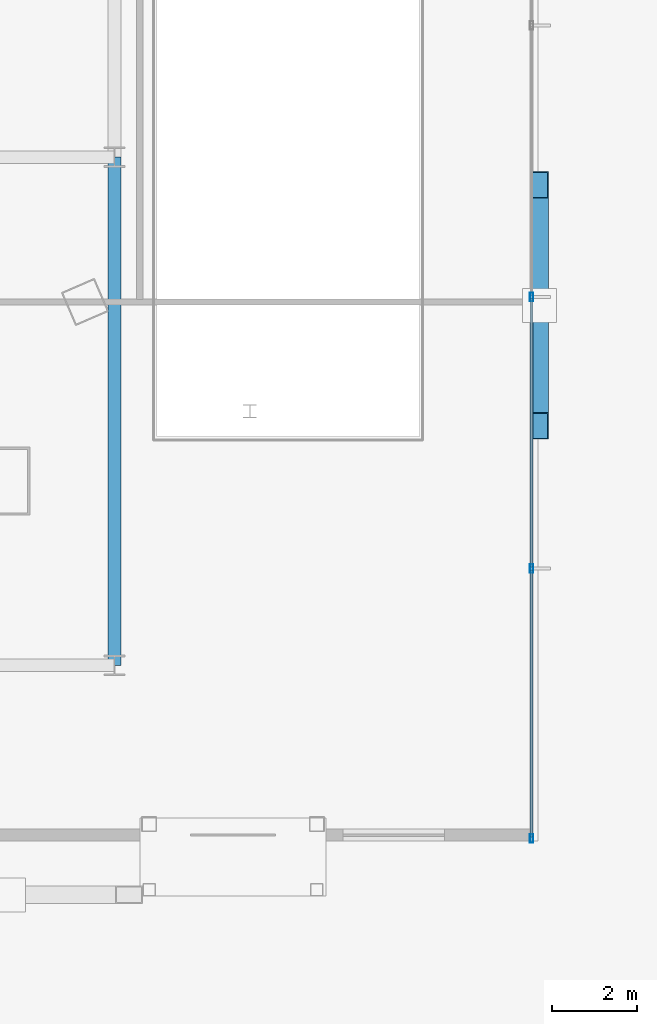
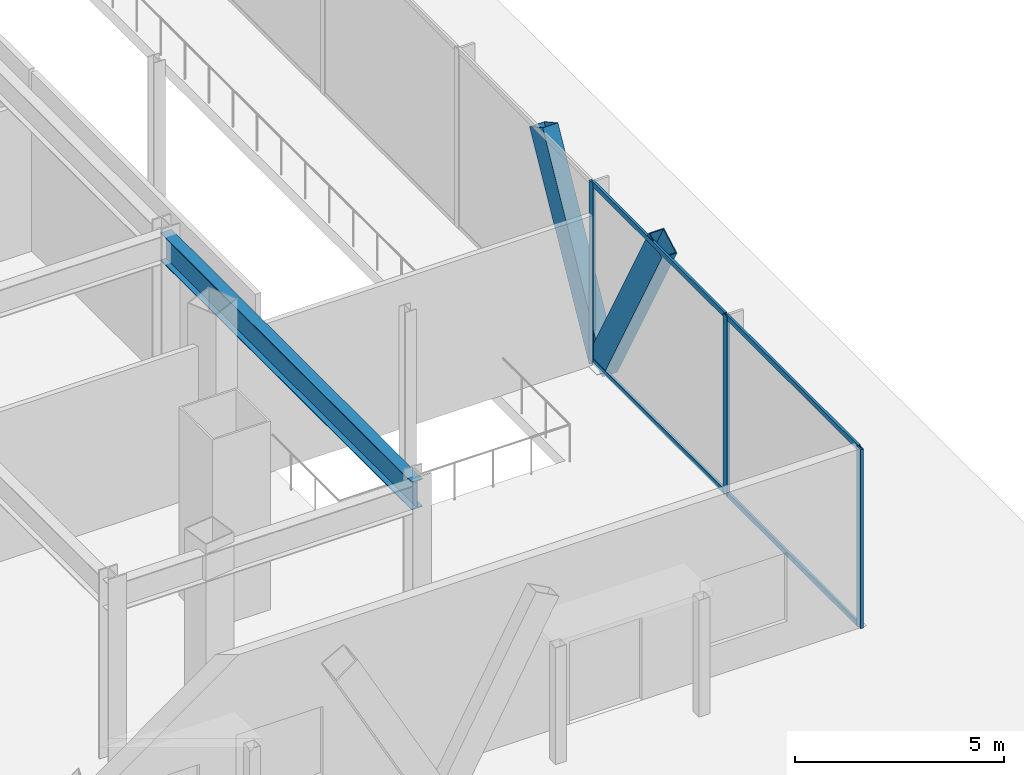
# One storey, part 13 of 38: 9 members, 1 beam, 1 element without a shape of its own.
"""IFC4 building model written with IfcOpenShell, lengths in metres."""

from ifc_helpers import new_model, si_unit, direction, frame, origin, origin_2d, place, context, subcontext, project, spatial, hollow_rectangle, i_section, extrude, material, layer, layer_set, material_profile, profile_set, type_object, element, aggregate, save


model = new_model("IFC4")

# Units and contexts
model_context = context("Model", 3, precision=1e-05, world=origin(), true_north=direction((0.0, 1.0)))
body_context = subcontext(model_context, "Body", "Model", "MODEL_VIEW")
ifc_project = project(units=[si_unit("LENGTHUNIT", "METRE"), si_unit("AREAUNIT", "SQUARE_METRE"), si_unit("VOLUMEUNIT", "CUBIC_METRE"), si_unit("PLANEANGLEUNIT", "RADIAN"), si_unit("MASSUNIT", "GRAM", prefix="KILO")], contexts=[model_context])

# Site, building, storey
site_placement = place(None, origin())
site = spatial("IfcSite", under=ifc_project, at=site_placement, CompositionType="ELEMENT")
building_placement = place(site_placement, origin())
building = spatial("IfcBuilding", under=site, at=building_placement, Name="Orvanel Arch Residences", CompositionType="ELEMENT")
storey_placement = place(building_placement, origin())
storey = spatial("IfcBuildingStorey", under=building, at=storey_placement, Name="L00", CompositionType="ELEMENT", Elevation=0.0)

# Beam
ifc_material_1 = material(Name="Structural steel AS/NZS 3678 Grade 350", Category="steel")
ifc_material_profile_1 = material_profile(ifc_material_1, i_section(OverallWidth=0.300048828125, OverallDepth=0.81591796875, WebThickness=0.013916015625, FlangeThickness=0.02392578125, at=origin_2d()), Name="800WB192")
ifc_profile_set_1 = profile_set([ifc_material_profile_1], Name="Structural steel AS/NZS 3678 Grade 350")
beam_type = type_object("IfcBeamType", Name="BG-800WB", PredefinedType="BEAM", material=ifc_profile_set_1)
beam_placement = place(storey_placement, frame((54.60009765625, 6.0, 4.81201171875), z_axis=(0.0, 1.0, 0.0), x_axis=(-1.0, 0.0, 0.0)))
element("IfcBeam", 1, at=beam_placement, inside=storey, type_object=beam_type, Name="L00 North-South Podium Girder XE55-S", PredefinedType="BEAM", context=body_context, shape_type="SweptSolid", body=[
    extrude(i_section(OverallWidth=0.300048828125, OverallDepth=0.81591796875, WebThickness=0.013916015625, FlangeThickness=0.02392578125, at=origin_2d()), origin(), (0.0, 0.0, 1.0), 12.0),
])

# Members
ifc_material_profile_2 = material_profile(ifc_material_1, hollow_rectangle(XDim=0.419921875, YDim=0.719970703125, WallThickness=0.02490234375, at=origin_2d()), Name="RHS720x420x25")
ifc_profile_set_2 = profile_set([ifc_material_profile_2], Name="Structural steel AS/NZS 3678 Grade 350")
member_type_1 = type_object("IfcMemberType", Name="BR-720RHS-EXT", PredefinedType="BRACE", material=ifc_profile_set_2)
for number, where, z_axis, x_axis, name in (
    (2, (64.639892578125, 14.5, 0.0), (0.0, -0.48010111861, 0.877213153065), (1.0, 0.0, 0.0), "L00 Podium Multi-Storey V-Strut Pair E1 Leg 1"),
    (3, (64.639892578125, 14.5, 0.0), (0.0, 0.48010111861, 0.877213153065), (-1.0, 0.0, 0.0), "L00 Podium Multi-Storey V-Strut Pair E1 Leg 2"),
):
    element("IfcMember", number, at=place(storey_placement, frame(where, z_axis=z_axis, x_axis=x_axis)), inside=storey, type_object=member_type_1, Name=name, PredefinedType="BRACE", context=body_context, shape_type="SweptSolid", body=[
        extrude(hollow_rectangle(XDim=0.419921875, YDim=0.719970703125, WallThickness=0.02490234375, at=origin_2d()), origin(), (0.0, 0.0, 1.0), 5.927734375),
    ])

# Curtain wall, members
ifc_material_2 = material(Name="Bronze-anodised aluminium AA6063-T6", Category="aluminium")
ifc_layer = layer(ifc_material_2, 0.199951171875)
ifc_layer_set = layer_set([ifc_layer], Name="Bronze-anodised aluminium AA6063-T6")
curtain_wall_type = type_object("IfcCurtainWallType", Name="CW1-POD-SYS", PredefinedType="NOTDEFINED", material=ifc_layer_set)
curtain_wall_placement = place(storey_placement, origin())
curtain_wall = element("IfcCurtainWall", 4, at=curtain_wall_placement, inside=storey, type_object=curtain_wall_type, Name="L00 CW1-POD-SYS Unitised Curtain Wall", PredefinedType="NOTDEFINED")
ifc_material_profile_3 = material_profile(ifc_material_2, hollow_rectangle(XDim=0.074951171875, YDim=0.199951171875, WallThickness=0.0048828125, at=origin_2d()), Name="ALU200x75x5")
ifc_profile_set_3 = profile_set([ifc_material_profile_3], Name="Bronze-anodised aluminium AA6063-T6")
member_type_2 = type_object("IfcMemberType", Name="MUL-200x75", PredefinedType="MULLION", material=ifc_profile_set_3)
member_1_placement = place(storey_placement, frame((64.449951171875, 1.907470703125, 0.0), z_axis=(0.0, 0.0, 1.0), x_axis=(-1.0, 0.0, 0.0)))
member_1 = element("IfcMember", 5, at=member_1_placement, type_object=member_type_2, Name="CW-S1 mullion 1", PredefinedType="MULLION", context=body_context, shape_type="SweptSolid", body=[
    extrude(hollow_rectangle(XDim=0.074951171875, YDim=0.199951171875, WallThickness=0.0048828125, at=origin_2d()), origin(), (0.0, 0.0, 1.0), 5.219970703125),
])
member_2_placement = place(storey_placement, frame((64.449951171875, 8.28369140625, 0.0), z_axis=(0.0, 0.0, 1.0), x_axis=(-1.0, 0.0, 0.0)))
member_2 = element("IfcMember", 6, at=member_2_placement, type_object=member_type_2, Name="CW-S1 mullion 2", PredefinedType="MULLION", context=body_context, shape_type="SweptSolid", body=[
    extrude(hollow_rectangle(XDim=0.074951171875, YDim=0.199951171875, WallThickness=0.0048828125, at=origin_2d()), origin(), (0.0, 0.0, 1.0), 5.219970703125),
])
member_3_placement = place(storey_placement, frame((64.449951171875, 14.697509765625, 0.0), z_axis=(0.0, 0.0, 1.0), x_axis=(-1.0, 0.0, 0.0)))
member_3 = element("IfcMember", 7, at=member_3_placement, type_object=member_type_2, Name="CW-S1 mullion 3", PredefinedType="MULLION", context=body_context, shape_type="SweptSolid", body=[
    extrude(hollow_rectangle(XDim=0.074951171875, YDim=0.199951171875, WallThickness=0.0048828125, at=origin_2d()), origin(), (0.0, 0.0, 1.0), 5.219970703125),
])
ifc_material_profile_4 = material_profile(ifc_material_2, hollow_rectangle(XDim=0.06494140625, YDim=0.14990234375, WallThickness=0.00390625, at=origin_2d()), Name="ALU150x65x4")
ifc_profile_set_4 = profile_set([ifc_material_profile_4], Name="Bronze-anodised aluminium AA6063-T6")
member_type_3 = type_object("IfcMemberType", Name="TRN-150x65", PredefinedType="USERDEFINED", material=ifc_profile_set_4)
member_4_placement = place(storey_placement, frame((64.449951171875, 1.945068359375, 0.032470703125), z_axis=(0.0, 1.0, 0.0), x_axis=(-1.0, 0.0, 0.0)))
member_4 = element("IfcMember", 8, at=member_4_placement, type_object=member_type_3, Name="CW-S1 transom 1.1", ObjectType="TRANSOM", PredefinedType="USERDEFINED", context=body_context, shape_type="SweptSolid", body=[
    extrude(hollow_rectangle(XDim=0.06494140625, YDim=0.14990234375, WallThickness=0.00390625, at=origin_2d()), origin(), (0.0, 0.0, 1.0), 6.30126953125),
])
member_5_placement = place(storey_placement, frame((64.449951171875, 1.945068359375, 5.1875), z_axis=(0.0, 1.0, 0.0), x_axis=(-1.0, 0.0, 0.0)))
member_5 = element("IfcMember", 9, at=member_5_placement, type_object=member_type_3, Name="CW-S1 transom 1.2", ObjectType="TRANSOM", PredefinedType="USERDEFINED", context=body_context, shape_type="SweptSolid", body=[
    extrude(hollow_rectangle(XDim=0.06494140625, YDim=0.14990234375, WallThickness=0.00390625, at=origin_2d()), origin(), (0.0, 0.0, 1.0), 6.30126953125),
])
member_6_placement = place(storey_placement, frame((64.449951171875, 8.3212890625, 0.032470703125), z_axis=(0.0, 1.0, 0.0), x_axis=(-1.0, 0.0, 0.0)))
member_6 = element("IfcMember", 10, at=member_6_placement, type_object=member_type_3, Name="CW-S1 transom 2.1", ObjectType="TRANSOM", PredefinedType="USERDEFINED", context=body_context, shape_type="SweptSolid", body=[
    extrude(hollow_rectangle(XDim=0.06494140625, YDim=0.14990234375, WallThickness=0.00390625, at=origin_2d()), origin(), (0.0, 0.0, 1.0), 6.338623046875),
])
member_7_placement = place(storey_placement, frame((64.449951171875, 8.3212890625, 5.1875), z_axis=(0.0, 1.0, 0.0), x_axis=(-1.0, 0.0, 0.0)))
member_7 = element("IfcMember", 11, at=member_7_placement, type_object=member_type_3, Name="CW-S1 transom 2.2", ObjectType="TRANSOM", PredefinedType="USERDEFINED", context=body_context, shape_type="SweptSolid", body=[
    extrude(hollow_rectangle(XDim=0.06494140625, YDim=0.14990234375, WallThickness=0.00390625, at=origin_2d()), origin(), (0.0, 0.0, 1.0), 6.338623046875),
])
aggregate(curtain_wall, [member_1, member_2, member_3, member_4, member_5, member_6, member_7])

save(model, "model.ifc")
